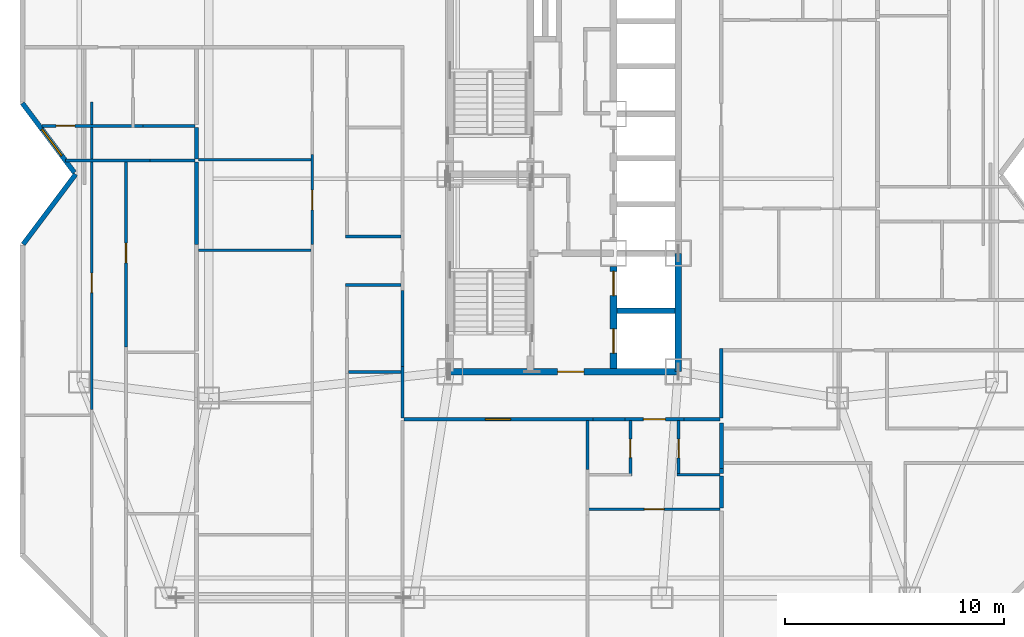
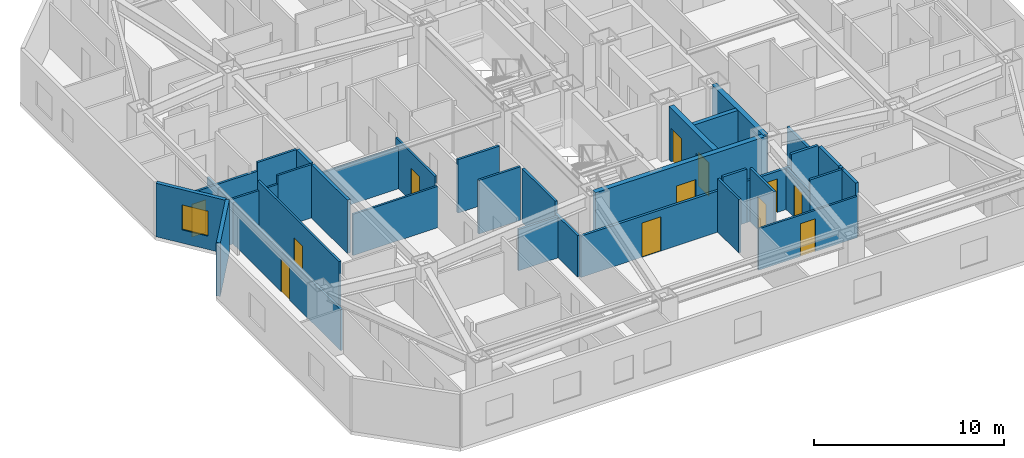
# One storey, part 6 of 12: 35 walls, 12 doors, 1 window, 13 openings.
"""IFC4 building model written with IfcOpenShell, lengths in metres."""

from ifc_helpers import new_model, si_unit, direction, frame, frame_2d, origin, place, context, subcontext, project, spatial, rectangle, extrude, material, layer, layer_set, type_object, element, fill, save


model = new_model("IFC4")

# Units and contexts
model_context = context("Model", 3, precision=1e-05, world=origin(), true_north=direction((0.0, 1.0)))
body_context = subcontext(model_context, "Body", "Model", "MODEL_VIEW")
ifc_project = project(units=[si_unit("LENGTHUNIT", "METRE"), si_unit("AREAUNIT", "SQUARE_METRE"), si_unit("VOLUMEUNIT", "CUBIC_METRE"), si_unit("PLANEANGLEUNIT", "RADIAN"), si_unit("MASSUNIT", "GRAM", prefix="KILO")], contexts=[model_context])

# Site, building, storey
site_placement = place(None, origin())
site = spatial("IfcSite", under=ifc_project, at=site_placement, CompositionType="ELEMENT")
building_placement = place(site_placement, origin())
building = spatial("IfcBuilding", under=site, at=building_placement, Name="Khamvora Tower", CompositionType="ELEMENT")
storey_placement = place(building_placement, frame((0.0, 0.0, 127.449951171875)))
storey = spatial("IfcBuildingStorey", under=building, at=storey_placement, Name="L32", CompositionType="ELEMENT", Elevation=127.449951171875)

# Wall, opening, door
ifc_material_1 = material(Name="Concrete C50/60", Category="concrete")
ifc_layer_1 = layer(ifc_material_1, 0.300048828125)
ifc_layer_set_1 = layer_set([ifc_layer_1], Name="Concrete C50/60")
wall_type_1 = type_object("IfcWallType", Name="WAL-CORE-300", PredefinedType="SHEAR", material=ifc_layer_set_1)
wall_1_placement = place(storey_placement, frame((29.0, 19.0, 0.0), z_axis=(0.0, 0.0, 1.0), x_axis=(1.0, 0.0, 0.0)))
wall_1 = element("IfcWall", 1, at=wall_1_placement, inside=storey, type_object=wall_type_1, Name="L32 central core south wall", PredefinedType="SHEAR", context=body_context, shape_type="SweptSolid", body=[
    extrude(rectangle(XDim=10.39990234375, YDim=0.300048828125, at=frame_2d((5.199951171875, 0.0))), origin(), (0.0, 0.0, 1.0), 3.429931640625),
])
opening_1_placement = place(wall_1_placement, frame((4.89990234375, 0.0, 0.0)))
opening_1 = element("IfcOpeningElement", 2, at=opening_1_placement, cuts=wall_1, Name="Opening D-CR1", PredefinedType="OPENING", context=body_context, shape_type="SweptSolid", body=[
    extrude(rectangle(XDim=1.199951171875, YDim=2.14990234375, at=frame_2d((0.60009765625, 1.074951171875))), frame((0.0, 0.159912109375, 0.0), z_axis=(0.0, -1.0, 0.0), x_axis=(1.0, 0.0, 0.0)), (0.0, 0.0, 1.0), 0.320068359375),
])
ifc_material_2 = material(Name="Powder-Coated Steel and Hardwood Leaf", Category="steel")
door_type_1 = type_object("IfcDoorType", Name="DOR-CORR-1200", OperationType="NOTDEFINED", PredefinedType="DOOR", material=ifc_material_2)
door_1_placement = place(opening_1_placement, origin())
door_1 = element("IfcDoor", 3, at=door_1_placement, inside=storey, type_object=door_type_1, Name="L32 south core lobby to corridor fire door", OperationType="SINGLE_SWING_RIGHT", OverallHeight=2.14990234375, OverallWidth=1.199951171875, PredefinedType="DOOR", context=body_context, shape_type="SweptSolid", body=[
    extrude(rectangle(XDim=1.199951171875, YDim=2.14990234375, at=frame_2d((0.60009765625, 1.074951171875))), frame((0.0, 0.02490234375, 0.0), z_axis=(0.0, -1.0, 0.0), x_axis=(1.0, 0.0, 0.0)), (0.0, 0.0, 1.0), 0.050048828125),
])
fill(opening_1, door_1)

# Wall
wall_2_placement = place(storey_placement, frame((39.39990234375, 19.0, 0.0), z_axis=(0.0, 0.0, 1.0), x_axis=(0.0, 1.0, 0.0)))
element("IfcWall", 4, at=wall_2_placement, inside=storey, type_object=wall_type_1, Name="L32 central core east south wall", PredefinedType="SHEAR", context=body_context, shape_type="SweptSolid", body=[
    extrude(rectangle(XDim=5.39990234375, YDim=0.300048828125, at=frame_2d((2.699951171875, 0.0))), origin(), (0.0, 0.0, 1.0), 3.429931640625),
])

# Wall, openings, doors
wall_3_placement = place(storey_placement, frame((36.449951171875, 19.154052734375, 0.0), z_axis=(0.0, 0.0, 1.0), x_axis=(0.0, 1.0, 0.0)))
wall_3 = element("IfcWall", 5, at=wall_3_placement, inside=storey, type_object=wall_type_1, Name="L32 central core lift bank south wall", PredefinedType="SHEAR", context=body_context, shape_type="SweptSolid", body=[
    extrude(rectangle(XDim=4.64599609375, YDim=0.300048828125, at=frame_2d((2.322998046875, 0.0))), origin(), (0.0, 0.0, 1.0), 3.429931640625),
])
opening_2_placement = place(wall_3_placement, frame((0.696044921875, 0.0, 0.0)))
opening_2 = element("IfcOpeningElement", 6, at=opening_2_placement, cuts=wall_3, Name="Opening LD-FFL", PredefinedType="OPENING", context=body_context, shape_type="SweptSolid", body=[
    extrude(rectangle(XDim=1.10009765625, YDim=2.14990234375, at=frame_2d((0.550048828125, 1.074951171875))), frame((0.0, 0.159912109375, 0.0), z_axis=(0.0, -1.0, 0.0), x_axis=(1.0, 0.0, 0.0)), (0.0, 0.0, 1.0), 0.320068359375),
])
opening_3_placement = place(wall_3_placement, frame((3.31591796875, 0.0, 0.0)))
opening_3 = element("IfcOpeningElement", 7, at=opening_3_placement, cuts=wall_3, Name="Opening LD-FFL", PredefinedType="OPENING", context=body_context, shape_type="SweptSolid", body=[
    extrude(rectangle(XDim=1.10009765625, YDim=2.14990234375, at=frame_2d((0.550048828125, 1.074951171875))), frame((0.0, 0.159912109375, 0.0), z_axis=(0.0, -1.0, 0.0), x_axis=(1.0, 0.0, 0.0)), (0.0, 0.0, 1.0), 0.320068359375),
])
door_type_2 = type_object("IfcDoorType", Name="DOR-LIFT-1100", OperationType="SLIDING_TO_LEFT", PredefinedType="DOOR", material=ifc_material_2)
door_2_placement = place(opening_2_placement, origin())
door_2 = element("IfcDoor", 8, at=door_2_placement, inside=storey, type_object=door_type_2, Name="L32 lift landing sliding door FFL-01", OperationType="SLIDING_TO_LEFT", OverallHeight=2.14990234375, OverallWidth=1.10009765625, PredefinedType="DOOR", context=body_context, shape_type="SweptSolid", body=[
    extrude(rectangle(XDim=1.10009765625, YDim=2.14990234375, at=frame_2d((0.550048828125, 1.074951171875))), frame((0.0, 0.02490234375, 0.0), z_axis=(0.0, -1.0, 0.0), x_axis=(1.0, 0.0, 0.0)), (0.0, 0.0, 1.0), 0.050048828125),
])
fill(opening_2, door_2)
door_3_placement = place(opening_3_placement, origin())
door_3 = element("IfcDoor", 9, at=door_3_placement, inside=storey, type_object=door_type_2, Name="L32 lift landing sliding door FFL-02", OperationType="SLIDING_TO_LEFT", OverallHeight=2.14990234375, OverallWidth=1.10009765625, PredefinedType="DOOR", context=body_context, shape_type="SweptSolid", body=[
    extrude(rectangle(XDim=1.10009765625, YDim=2.14990234375, at=frame_2d((0.550048828125, 1.074951171875))), frame((0.0, 0.02490234375, 0.0), z_axis=(0.0, -1.0, 0.0), x_axis=(1.0, 0.0, 0.0)), (0.0, 0.0, 1.0), 0.050048828125),
])
fill(opening_3, door_3)

# Wall, opening, door
ifc_material_3 = material(Name="Fire-Rated Drywall and Steel Stud", Category="steel")
ifc_layer_2 = layer(ifc_material_3, 0.14990234375)
ifc_layer_set_2 = layer_set([ifc_layer_2], Name="Fire-Rated Drywall and Steel Stud")
wall_type_2 = type_object("IfcWallType", Name="WAL-CORR-150", PredefinedType="STANDARD", material=ifc_layer_set_2)
wall_4_placement = place(storey_placement, frame((35.513916015625, 16.8349609375, 0.0), z_axis=(0.0, 0.0, 1.0), x_axis=(-1.0, 0.0, 0.0)))
wall_4 = element("IfcWall", 10, at=wall_4_placement, inside=storey, type_object=wall_type_2, Name="L32 interior partition wall 008", PredefinedType="STANDARD", context=body_context, shape_type="SweptSolid", body=[
    extrude(rectangle(XDim=8.614013671875, YDim=0.14990234375, at=frame_2d((4.30712890625, 0.0))), origin(), (0.0, 0.0, 1.0), 2.64697265625),
])
opening_4_placement = place(wall_4_placement, frame((3.7529296875, 0.0, 0.0)))
opening_4 = element("IfcOpeningElement", 11, at=opening_4_placement, cuts=wall_4, Name="Opening D-SC1", PredefinedType="OPENING", context=body_context, shape_type="SweptSolid", body=[
    extrude(rectangle(XDim=1.14990234375, YDim=2.199951171875, at=frame_2d((0.574951171875, 1.10009765625))), frame((0.0, 0.0849609375, 0.0), z_axis=(0.0, -1.0, 0.0), x_axis=(1.0, 0.0, 0.0)), (0.0, 0.0, 1.0), 0.169921875),
])
door_type_3 = type_object("IfcDoorType", Name="DOR-SCHL-1150", OperationType="NOTDEFINED", PredefinedType="DOOR", material=ifc_material_2)
door_4_placement = place(opening_4_placement, origin())
door_4 = element("IfcDoor", 12, at=door_4_placement, inside=storey, type_object=door_type_3, Name="L32 interior door COR-RCOW", OperationType="SINGLE_SWING_LEFT", OverallHeight=2.199951171875, OverallWidth=1.14990234375, PredefinedType="DOOR", context=body_context, shape_type="SweptSolid", body=[
    extrude(rectangle(XDim=1.14990234375, YDim=2.199951171875, at=frame_2d((0.574951171875, 1.10009765625))), frame((0.0, 0.02490234375, 0.0), z_axis=(0.0, -1.0, 0.0), x_axis=(1.0, 0.0, 0.0)), (0.0, 0.0, 1.0), 0.050048828125),
])
fill(opening_4, door_4)

# Walls
wall_5_placement = place(storey_placement, frame((26.8349609375, 16.89990234375, 0.0), z_axis=(0.0, 0.0, 1.0), x_axis=(0.0, 1.0, 0.0)))
element("IfcWall", 13, at=wall_5_placement, inside=storey, type_object=wall_type_2, Name="L32 interior partition wall 012", PredefinedType="STANDARD", context=body_context, shape_type="SweptSolid", body=[
    extrude(rectangle(XDim=2.343017578125, YDim=0.14990234375, at=frame_2d((1.17138671875, 0.0))), origin(), (0.0, 0.0, 1.0), 2.64697265625),
])
wall_6_placement = place(storey_placement, frame((26.8349609375, 19.242919921875, 0.0), z_axis=(0.0, 0.0, 1.0), x_axis=(0.0, 1.0, 0.0)))
element("IfcWall", 14, at=wall_6_placement, inside=storey, type_object=wall_type_2, Name="L32 interior partition wall 017", PredefinedType="STANDARD", context=body_context, shape_type="SweptSolid", body=[
    extrude(rectangle(XDim=3.467041015625, YDim=0.14990234375, at=frame_2d((1.7333984375, 0.0))), origin(), (0.0, 0.0, 1.0), 3.429931640625),
])

# Wall, opening, door
wall_7_placement = place(storey_placement, frame((39.6640625, 16.8349609375, 0.0), z_axis=(0.0, 0.0, 1.0), x_axis=(-1.0, 0.0, 0.0)))
wall_7 = element("IfcWall", 15, at=wall_7_placement, inside=storey, type_object=wall_type_2, Name="L32 interior partition wall 027", PredefinedType="STANDARD", context=body_context, shape_type="SweptSolid", body=[
    extrude(rectangle(XDim=2.697998046875, YDim=0.14990234375, at=frame_2d((1.34912109375, 0.0))), origin(), (0.0, 0.0, 1.0), 2.64697265625),
])
opening_5_placement = place(wall_7_placement, frame((0.84912109375, 0.0, 0.0)))
opening_5 = element("IfcOpeningElement", 16, at=opening_5_placement, cuts=wall_7, Name="Opening D-U1", PredefinedType="OPENING", context=body_context, shape_type="SweptSolid", body=[
    extrude(rectangle(XDim=1.0, YDim=2.14990234375, at=frame_2d((0.5, 1.074951171875))), frame((0.0, 0.0849609375, 0.0), z_axis=(0.0, -1.0, 0.0), x_axis=(1.0, 0.0, 0.0)), (0.0, 0.0, 1.0), 0.169921875),
])
door_type_4 = type_object("IfcDoorType", Name="DOR-UNIT-1000", OperationType="NOTDEFINED", PredefinedType="DOOR", material=ifc_material_2)
door_5_placement = place(opening_5_placement, origin())
door_5 = element("IfcDoor", 17, at=door_5_placement, inside=storey, type_object=door_type_4, Name="L32 interior door COR-32SAH", OperationType="SINGLE_SWING_RIGHT", OverallHeight=2.14990234375, OverallWidth=1.0, PredefinedType="DOOR", context=body_context, shape_type="SweptSolid", body=[
    extrude(rectangle(XDim=1.0, YDim=2.14990234375, at=frame_2d((0.5, 1.074951171875))), frame((0.0, 0.02490234375, 0.0), z_axis=(0.0, -1.0, 0.0), x_axis=(1.0, 0.0, 0.0)), (0.0, 0.0, 1.0), 0.050048828125),
])
fill(opening_5, door_5)

# Walls
wall_8_placement = place(storey_placement, frame((36.966064453125, 16.8349609375, 0.0), z_axis=(0.0, 0.0, 1.0), x_axis=(-1.0, 0.0, 0.0)))
element("IfcWall", 18, at=wall_8_placement, inside=storey, type_object=wall_type_2, Name="L32 interior partition wall 028", PredefinedType="STANDARD", context=body_context, shape_type="SweptSolid", body=[
    extrude(rectangle(XDim=1.4521484375, YDim=0.14990234375, at=frame_2d((0.72607421875, 0.0))), origin(), (0.0, 0.0, 1.0), 3.429931640625),
])
wall_9_placement = place(storey_placement, frame((41.300048828125, 16.8349609375, 0.0), z_axis=(0.0, 0.0, 1.0), x_axis=(-1.0, 0.0, 0.0)))
element("IfcWall", 19, at=wall_9_placement, inside=storey, type_object=wall_type_2, Name="L32 interior partition wall 029", PredefinedType="STANDARD", context=body_context, shape_type="SweptSolid", body=[
    extrude(rectangle(XDim=1.635986328125, YDim=0.14990234375, at=frame_2d((0.81787109375, 0.0))), origin(), (0.0, 0.0, 1.0), 3.429931640625),
])
wall_10_placement = place(storey_placement, frame((41.364990234375, 20.050048828125, 0.0), z_axis=(0.0, 0.0, 1.0), x_axis=(0.0, -1.0, 0.0)))
element("IfcWall", 20, at=wall_10_placement, inside=storey, type_object=wall_type_2, Name="L32 interior partition wall 035", PredefinedType="STANDARD", context=body_context, shape_type="SweptSolid", body=[
    extrude(rectangle(XDim=3.150146484375, YDim=0.14990234375, at=frame_2d((1.5751953125, 0.0))), origin(), (0.0, 0.0, 1.0), 2.64697265625),
])
ifc_material_4 = material(Name="Acoustic Double-Stud Fire Wall", Category="gypsum")
ifc_layer_3 = layer(ifc_material_4, 0.179931640625)
ifc_layer_set_3 = layer_set([ifc_layer_3], Name="Acoustic Double-Stud Fire Wall")
wall_type_3 = type_object("IfcWallType", Name="WAL-CORR-180", PredefinedType="STANDARD", material=ifc_layer_set_3)
wall_11_placement = place(storey_placement, frame((17.449951171875, 30.139892578125, 0.0), z_axis=(0.0, 0.0, 1.0), x_axis=(0.0, -1.0, 0.0)))
element("IfcWall", 21, at=wall_11_placement, inside=storey, type_object=wall_type_3, Name="L32 interior partition wall 060", PredefinedType="STANDARD", context=body_context, shape_type="SweptSolid", body=[
    extrude(rectangle(XDim=1.449951171875, YDim=0.179931640625, at=frame_2d((0.72509765625, 0.0))), origin(), (0.0, 0.0, 1.0), 3.429931640625),
])
wall_12_placement = place(storey_placement, frame((17.449951171875, 28.56005859375, 0.0), z_axis=(0.0, 0.0, 1.0), x_axis=(0.0, -1.0, 0.0)))
element("IfcWall", 22, at=wall_12_placement, inside=storey, type_object=wall_type_3, Name="L32 interior partition wall 070", PredefinedType="STANDARD", context=body_context, shape_type="SweptSolid", body=[
    extrude(rectangle(XDim=3.77099609375, YDim=0.179931640625, at=frame_2d((1.885498046875, 0.0))), origin(), (0.0, 0.0, 1.0), 3.429931640625),
])
wall_13_placement = place(storey_placement, frame((41.364990234375, 14.239990234375, 0.0), z_axis=(0.0, 0.0, 1.0), x_axis=(0.0, -1.0, 0.0)))
element("IfcWall", 23, at=wall_13_placement, inside=storey, type_object=wall_type_3, Name="L32 interior partition wall 117", PredefinedType="STANDARD", context=body_context, shape_type="SweptSolid", body=[
    extrude(rectangle(XDim=1.449951171875, YDim=0.179931640625, at=frame_2d((0.72509765625, 0.0))), origin(), (0.0, 0.0, 1.0), 3.429931640625),
])
wall_14_placement = place(storey_placement, frame((41.364990234375, 16.669921875, 0.0), z_axis=(0.0, 0.0, 1.0), x_axis=(0.0, -1.0, 0.0)))
element("IfcWall", 24, at=wall_14_placement, inside=storey, type_object=wall_type_3, Name="L32 interior partition wall 118", PredefinedType="STANDARD", context=body_context, shape_type="SweptSolid", body=[
    extrude(rectangle(XDim=2.077880859375, YDim=0.179931640625, at=frame_2d((1.0390625, 0.0))), origin(), (0.0, 0.0, 1.0), 3.429931640625),
])
wall_15_placement = place(storey_placement, frame((41.364990234375, 14.592041015625, 0.0), z_axis=(0.0, 0.0, 1.0), x_axis=(0.0, -1.0, 0.0)))
element("IfcWall", 25, at=wall_15_placement, inside=storey, type_object=wall_type_3, Name="L32 interior partition wall 119", PredefinedType="STANDARD", context=body_context, shape_type="SweptSolid", body=[
    extrude(rectangle(XDim=0.221923828125, YDim=0.179931640625, at=frame_2d((0.11083984375, 0.0))), origin(), (0.0, 0.0, 1.0), 3.429931640625),
])
ifc_material_5 = material(Name="Precast concrete C40/50", Category="concrete")
ifc_layer_4 = layer(ifc_material_5, 0.219970703125)
ifc_layer_set_4 = layer_set([ifc_layer_4], Name="Precast concrete C40/50")
wall_type_4 = type_object("IfcWallType", Name="WAL-EXT-220", PredefinedType="STANDARD", material=ifc_layer_set_4)
wall_16_placement = place(storey_placement, frame((9.5439453125, 24.80810546875, 0.0), z_axis=(0.0, 0.0, 1.0), x_axis=(0.600019580308, 0.799985314394, 0.0)))
element("IfcWall", 26, at=wall_16_placement, inside=storey, type_object=wall_type_4, Name="L32 exterior facade wall 03.1", PredefinedType="STANDARD", context=body_context, shape_type="SweptSolid", body=[
    extrude(rectangle(XDim=3.989990234375, YDim=0.219970703125, at=frame_2d((1.9951171875, 0.0))), origin(), (0.0, 0.0, 1.0), 3.429931640625),
])

# Wall, opening, window
wall_17_placement = place(storey_placement, frame((11.881103515625, 28.076904296875, 0.0), z_axis=(0.0, 0.0, 1.0), x_axis=(-0.600158184825, 0.799881336942, 0.0)))
wall_17 = element("IfcWall", 27, at=wall_17_placement, inside=storey, type_object=wall_type_4, Name="L32 exterior facade wall 04.1", PredefinedType="STANDARD", context=body_context, shape_type="SweptSolid", body=[
    extrude(rectangle(XDim=3.95068359375, YDim=0.219970703125, at=frame_2d((1.975341796875, 0.0))), origin(), (0.0, 0.0, 1.0), 3.429931640625),
])
opening_6_placement = place(wall_17_placement, frame((0.964111328125, 0.0, 0.85009765625)))
opening_6 = element("IfcOpeningElement", 28, at=opening_6_placement, cuts=wall_17, Name="Opening WN-02", PredefinedType="OPENING", context=body_context, shape_type="SweptSolid", body=[
    extrude(rectangle(XDim=1.5, YDim=1.60009765625, at=frame_2d((0.75, 0.800048828125))), frame((0.0, 0.119873046875, 0.0), z_axis=(0.0, -1.0, 0.0), x_axis=(1.0, 0.0, 0.0)), (0.0, 0.0, 1.0), 0.239990234375),
])
ifc_material_6 = material(Name="Low-E Laminated Double Glazing", Category="glass")
window_type = type_object("IfcWindowType", Name="WIN-VIS-1500x1600", PartitioningType="SINGLE_PANEL", PredefinedType="WINDOW", material=ifc_material_6)
window_placement = place(opening_6_placement, origin())
window = element("IfcWindow", 29, at=window_placement, inside=storey, type_object=window_type, Name="L32 vision window 04.1.01", OverallHeight=1.60009765625, OverallWidth=1.5, PartitioningType="SINGLE_PANEL", PredefinedType="WINDOW", context=body_context, shape_type="SweptSolid", body=[
    extrude(rectangle(XDim=1.5, YDim=1.60009765625, at=frame_2d((0.75, 0.800048828125))), frame((0.0, 0.030029296875, 0.0), z_axis=(0.0, -1.0, 0.0), x_axis=(1.0, 0.0, 0.0)), (0.0, 0.0, 1.0), 0.06005859375),
])
fill(opening_6, window)

# Wall, opening, door
ifc_material_7 = material(Name="Gypsum Plasterboard Partition", Category="gypsum")
ifc_layer_5 = layer(ifc_material_7, 0.1201171875)
ifc_layer_set_5 = layer_set([ifc_layer_5], Name="Gypsum Plasterboard Partition")
wall_type_5 = type_object("IfcWallType", Name="WAL-PART-120", PredefinedType="PARTITIONING", material=ifc_layer_set_5)
wall_18_placement = place(storey_placement, frame((12.662109375, 17.26806640625, 0.0), z_axis=(0.0, 0.0, 1.0), x_axis=(0.0, 1.0, 0.0)))
wall_18 = element("IfcWall", 30, at=wall_18_placement, inside=storey, type_object=wall_type_5, Name="L32 interior partition wall 054", PredefinedType="PARTITIONING", context=body_context, shape_type="SweptSolid", body=[
    extrude(rectangle(XDim=14.02197265625, YDim=0.1201171875, at=frame_2d((7.010986328125, 0.0))), origin(), (0.0, 0.0, 1.0), 2.64697265625),
])
opening_7_placement = place(wall_18_placement, frame((5.33203125, 0.0, 0.0)))
opening_7 = element("IfcOpeningElement", 31, at=opening_7_placement, cuts=wall_18, Name="Opening D-RM1", PredefinedType="OPENING", context=body_context, shape_type="SweptSolid", body=[
    extrude(rectangle(XDim=0.89990234375, YDim=2.10009765625, at=frame_2d((0.449951171875, 1.050048828125))), frame((0.0, 0.070068359375, 0.0), z_axis=(0.0, -1.0, 0.0), x_axis=(1.0, 0.0, 0.0)), (0.0, 0.0, 1.0), 0.14013671875),
])
door_type_5 = type_object("IfcDoorType", Name="DOR-ROOM-900", OperationType="NOTDEFINED", PredefinedType="DOOR", material=ifc_material_2)
door_6_placement = place(opening_7_placement, origin())
door_6 = element("IfcDoor", 32, at=door_6_placement, inside=storey, type_object=door_type_5, Name="L32 interior door 32WA1H-32WA1R2", OperationType="SINGLE_SWING_LEFT", OverallHeight=2.10009765625, OverallWidth=0.89990234375, PredefinedType="DOOR", context=body_context, shape_type="SweptSolid", body=[
    extrude(rectangle(XDim=0.89990234375, YDim=2.10009765625, at=frame_2d((0.449951171875, 1.050048828125))), frame((0.0, 0.02490234375, 0.0), z_axis=(0.0, -1.0, 0.0), x_axis=(1.0, 0.0, 0.0)), (0.0, 0.0, 1.0), 0.050048828125),
])
fill(opening_7, door_6)

# Walls
wall_19_placement = place(storey_placement, frame((15.326904296875, 28.625, 0.0), z_axis=(0.0, 0.0, 1.0), x_axis=(-1.0, 0.0, 0.0)))
element("IfcWall", 33, at=wall_19_placement, inside=storey, type_object=wall_type_5, Name="L32 interior partition wall 055", PredefinedType="PARTITIONING", context=body_context, shape_type="SweptSolid", body=[
    extrude(rectangle(XDim=3.844970703125, YDim=0.1201171875, at=frame_2d((1.92236328125, 0.0))), origin(), (0.0, 0.0, 1.0), 2.8759765625),
])
wall_20_placement = place(storey_placement, frame((17.385009765625, 28.625, 0.0), z_axis=(0.0, 0.0, 1.0), x_axis=(-1.0, 0.0, 0.0)))
element("IfcWall", 34, at=wall_20_placement, inside=storey, type_object=wall_type_5, Name="L32 interior partition wall 058", PredefinedType="PARTITIONING", context=body_context, shape_type="SweptSolid", body=[
    extrude(rectangle(XDim=2.05810546875, YDim=0.1201171875, at=frame_2d((1.029052734375, 0.0))), origin(), (0.0, 0.0, 1.0), 3.429931640625),
])

# Wall, opening, door
wall_21_placement = place(storey_placement, frame((14.23193359375, 28.68994140625, 0.0), z_axis=(0.0, 0.0, 1.0), x_axis=(0.0, -1.0, 0.0)))
wall_21 = element("IfcWall", 35, at=wall_21_placement, inside=storey, type_object=wall_type_5, Name="L32 interior partition wall 059", PredefinedType="PARTITIONING", context=body_context, shape_type="SweptSolid", body=[
    extrude(rectangle(XDim=8.555908203125, YDim=0.1201171875, at=frame_2d((4.27783203125, 0.0))), origin(), (0.0, 0.0, 1.0), 3.429931640625),
])
opening_8_placement = place(wall_21_placement, frame((3.827880859375, 0.0, 0.0)))
opening_8 = element("IfcOpeningElement", 36, at=opening_8_placement, cuts=wall_21, Name="Opening D-RM1", PredefinedType="OPENING", context=body_context, shape_type="SweptSolid", body=[
    extrude(rectangle(XDim=0.89990234375, YDim=2.10009765625, at=frame_2d((0.449951171875, 1.050048828125))), frame((0.0, 0.070068359375, 0.0), z_axis=(0.0, -1.0, 0.0), x_axis=(1.0, 0.0, 0.0)), (0.0, 0.0, 1.0), 0.14013671875),
])
door_7_placement = place(opening_8_placement, origin())
door_7 = element("IfcDoor", 37, at=door_7_placement, inside=storey, type_object=door_type_5, Name="L32 interior door 32WA1H-32WA1R5", OperationType="SINGLE_SWING_RIGHT", OverallHeight=2.10009765625, OverallWidth=0.89990234375, PredefinedType="DOOR", context=body_context, shape_type="SweptSolid", body=[
    extrude(rectangle(XDim=0.89990234375, YDim=2.10009765625, at=frame_2d((0.449951171875, 1.050048828125))), frame((0.0, 0.02490234375, 0.0), z_axis=(0.0, -1.0, 0.0), x_axis=(1.0, 0.0, 0.0)), (0.0, 0.0, 1.0), 0.050048828125),
])
fill(opening_8, door_7)

wall_22_placement = place(storey_placement, frame((22.72509765625, 24.7890625, 0.0), z_axis=(0.0, 0.0, 1.0), x_axis=(0.0, 1.0, 0.0)))
wall_22 = element("IfcWall", 38, at=wall_22_placement, inside=storey, type_object=wall_type_5, Name="L32 interior partition wall 082", PredefinedType="PARTITIONING", context=body_context, shape_type="SweptSolid", body=[
    extrude(rectangle(XDim=4.116943359375, YDim=0.1201171875, at=frame_2d((2.05859375, 0.0))), origin(), (0.0, 0.0, 1.0), 3.10693359375),
])
opening_9_placement = place(wall_22_placement, frame((1.587890625, 0.0, 0.0)))
opening_9 = element("IfcOpeningElement", 39, at=opening_9_placement, cuts=wall_22, Name="Opening D-RM1", PredefinedType="OPENING", context=body_context, shape_type="SweptSolid", body=[
    extrude(rectangle(XDim=0.89990234375, YDim=2.10009765625, at=frame_2d((0.449951171875, 1.050048828125))), frame((0.0, 0.070068359375, 0.0), z_axis=(0.0, -1.0, 0.0), x_axis=(1.0, 0.0, 0.0)), (0.0, 0.0, 1.0), 0.14013671875),
])
door_8_placement = place(opening_9_placement, origin())
door_8 = element("IfcDoor", 40, at=door_8_placement, inside=storey, type_object=door_type_5, Name="L32 interior door 32WA2H-32WA2R4", OperationType="SINGLE_SWING_RIGHT", OverallHeight=2.10009765625, OverallWidth=0.89990234375, PredefinedType="DOOR", context=body_context, shape_type="SweptSolid", body=[
    extrude(rectangle(XDim=0.89990234375, YDim=2.10009765625, at=frame_2d((0.449951171875, 1.050048828125))), frame((0.0, 0.02490234375, 0.0), z_axis=(0.0, -1.0, 0.0), x_axis=(1.0, 0.0, 0.0)), (0.0, 0.0, 1.0), 0.050048828125),
])
fill(opening_9, door_8)

# Walls
wall_23_placement = place(storey_placement, frame((17.531982421875, 24.5400390625, 0.0), z_axis=(0.0, 0.0, 1.0), x_axis=(1.0, 0.0, 0.0)))
element("IfcWall", 41, at=wall_23_placement, inside=storey, type_object=wall_type_5, Name="L32 interior partition wall 086", PredefinedType="PARTITIONING", context=body_context, shape_type="SweptSolid", body=[
    extrude(rectangle(XDim=5.138916015625, YDim=0.1201171875, at=frame_2d((2.5693359375, 0.0))), origin(), (0.0, 0.0, 1.0), 2.64697265625),
])
wall_24_placement = place(storey_placement, frame((17.52392578125, 28.656982421875, 0.0), z_axis=(0.0, 0.0, 1.0), x_axis=(1.0, 0.0, 0.0)))
element("IfcWall", 42, at=wall_24_placement, inside=storey, type_object=wall_type_5, Name="L32 interior partition wall 087", PredefinedType="PARTITIONING", context=body_context, shape_type="SweptSolid", body=[
    extrude(rectangle(XDim=5.14697265625, YDim=0.1201171875, at=frame_2d((2.573486328125, 0.0))), origin(), (0.0, 0.0, 1.0), 2.64697265625),
])

# Wall, opening, door
wall_25_placement = place(storey_placement, frame((41.300048828125, 12.72509765625, 0.0), z_axis=(0.0, 0.0, 1.0), x_axis=(-1.0, 0.0, 0.0)))
wall_25 = element("IfcWall", 43, at=wall_25_placement, inside=storey, type_object=wall_type_5, Name="L32 interior partition wall 116", PredefinedType="PARTITIONING", context=body_context, shape_type="SweptSolid", body=[
    extrude(rectangle(XDim=5.98095703125, YDim=0.1201171875, at=frame_2d((2.990478515625, 0.0))), origin(), (0.0, 0.0, 1.0), 2.64697265625),
])
opening_10_placement = place(wall_25_placement, frame((2.5400390625, 0.0, 0.0)))
opening_10 = element("IfcOpeningElement", 44, at=opening_10_placement, cuts=wall_25, Name="Opening D-RM1", PredefinedType="OPENING", context=body_context, shape_type="SweptSolid", body=[
    extrude(rectangle(XDim=0.89990234375, YDim=2.10009765625, at=frame_2d((0.449951171875, 1.050048828125))), frame((0.0, 0.070068359375, 0.0), z_axis=(0.0, -1.0, 0.0), x_axis=(1.0, 0.0, 0.0)), (0.0, 0.0, 1.0), 0.14013671875),
])
door_9_placement = place(opening_10_placement, origin())
door_9 = element("IfcDoor", 45, at=door_9_placement, inside=storey, type_object=door_type_5, Name="L32 interior door 32SAH-32SAR1", OperationType="SINGLE_SWING_RIGHT", OverallHeight=2.10009765625, OverallWidth=0.89990234375, PredefinedType="DOOR", context=body_context, shape_type="SweptSolid", body=[
    extrude(rectangle(XDim=0.89990234375, YDim=2.10009765625, at=frame_2d((0.449951171875, 1.050048828125))), frame((0.0, 0.02490234375, 0.0), z_axis=(0.0, -1.0, 0.0), x_axis=(1.0, 0.0, 0.0)), (0.0, 0.0, 1.0), 0.050048828125),
])
fill(opening_10, door_9)

# Walls
ifc_material_8 = material(Name="Concrete C40/50", Category="concrete")
ifc_layer_6 = layer(ifc_material_8, 0.25)
ifc_layer_set_6 = layer_set([ifc_layer_6], Name="Concrete C40/50")
wall_type_6 = type_object("IfcWallType", Name="WAL-PODS-250", PredefinedType="SHEAR", material=ifc_layer_set_6)
wall_26_placement = place(storey_placement, frame((36.60400390625, 21.77490234375, 0.0), z_axis=(0.0, 0.0, 1.0), x_axis=(1.0, 0.0, 0.0)))
element("IfcWall", 46, at=wall_26_placement, inside=storey, type_object=wall_type_6, Name="L32 lift shaft divider wall FFL-01", PredefinedType="SHEAR", context=body_context, shape_type="SweptSolid", body=[
    extrude(rectangle(XDim=2.64208984375, YDim=0.25, at=frame_2d((1.321044921875, 0.0))), origin(), (0.0, 0.0, 1.0), 3.429931640625),
])
ifc_material_9 = material(Name="Moisture-Resistant Plasterboard Partition", Category="gypsum")
ifc_layer_7 = layer(ifc_material_9, 0.135009765625)
ifc_layer_set_7 = layer_set([ifc_layer_7], Name="Moisture-Resistant Plasterboard Partition")
wall_type_7 = type_object("IfcWallType", Name="WAL-WET-135", PredefinedType="PARTITIONING", material=ifc_layer_set_7)
wall_27_placement = place(storey_placement, frame((35.264892578125, 16.77001953125, 0.0), z_axis=(0.0, 0.0, 1.0), x_axis=(0.0, -1.0, 0.0)))
element("IfcWall", 47, at=wall_27_placement, inside=storey, type_object=wall_type_7, Name="L32 interior partition wall 047", PredefinedType="PARTITIONING", context=body_context, shape_type="SweptSolid", body=[
    extrude(rectangle(XDim=2.216064453125, YDim=0.135009765625, at=frame_2d((1.10791015625, 0.0))), origin(), (0.0, 0.0, 1.0), 3.429931640625),
])

# Wall, opening, door
wall_28_placement = place(storey_placement, frame((10.39599609375, 30.205078125, 0.0), z_axis=(0.0, 0.0, 1.0), x_axis=(1.0, 0.0, 0.0)))
wall_28 = element("IfcWall", 48, at=wall_28_placement, inside=storey, type_object=wall_type_7, Name="L32 interior partition wall 049", PredefinedType="PARTITIONING", context=body_context, shape_type="SweptSolid", body=[
    extrude(rectangle(XDim=4.615966796875, YDim=0.135009765625, at=frame_2d((2.30810546875, 0.0))), origin(), (0.0, 0.0, 1.0), 2.8759765625),
])
opening_11_placement = place(wall_28_placement, frame((0.654052734375, 0.0, 0.0)))
opening_11 = element("IfcOpeningElement", 49, at=opening_11_placement, cuts=wall_28, Name="Opening D-WC1", PredefinedType="OPENING", context=body_context, shape_type="SweptSolid", body=[
    extrude(rectangle(XDim=0.85009765625, YDim=2.10009765625, at=frame_2d((0.425048828125, 1.050048828125))), frame((0.0, 0.077392578125, 0.0), z_axis=(0.0, -1.0, 0.0), x_axis=(1.0, 0.0, 0.0)), (0.0, 0.0, 1.0), 0.155029296875),
])
door_type_6 = type_object("IfcDoorType", Name="DOR-WET-850", OperationType="NOTDEFINED", PredefinedType="DOOR", material=ifc_material_2)
door_10_placement = place(opening_11_placement, origin())
door_10 = element("IfcDoor", 50, at=door_10_placement, inside=storey, type_object=door_type_6, Name="L32 interior door 32WA1H-32WA1B", OperationType="SINGLE_SWING_LEFT", OverallHeight=2.10009765625, OverallWidth=0.85009765625, PredefinedType="DOOR", context=body_context, shape_type="SweptSolid", body=[
    extrude(rectangle(XDim=0.85009765625, YDim=2.10009765625, at=frame_2d((0.425048828125, 1.050048828125))), frame((0.0, 0.02490234375, 0.0), z_axis=(0.0, -1.0, 0.0), x_axis=(1.0, 0.0, 0.0)), (0.0, 0.0, 1.0), 0.050048828125),
])
fill(opening_11, door_10)

# Walls
wall_29_placement = place(storey_placement, frame((15.011962890625, 30.205078125, 0.0), z_axis=(0.0, 0.0, 1.0), x_axis=(1.0, 0.0, 0.0)))
element("IfcWall", 51, at=wall_29_placement, inside=storey, type_object=wall_type_7, Name="L32 interior partition wall 052", PredefinedType="PARTITIONING", context=body_context, shape_type="SweptSolid", body=[
    extrude(rectangle(XDim=2.373046875, YDim=0.135009765625, at=frame_2d((1.1865234375, 0.0))), origin(), (0.0, 0.0, 1.0), 3.429931640625),
])
wall_30_placement = place(storey_placement, frame((24.3701171875, 18.993896484375, 0.0), z_axis=(0.0, 0.0, 1.0), x_axis=(1.0, 0.0, 0.0)))
element("IfcWall", 52, at=wall_30_placement, inside=storey, type_object=wall_type_7, Name="L32 interior partition wall 072", PredefinedType="PARTITIONING", context=body_context, shape_type="SweptSolid", body=[
    extrude(rectangle(XDim=2.39990234375, YDim=0.135009765625, at=frame_2d((1.199951171875, 0.0))), origin(), (0.0, 0.0, 1.0), 2.64697265625),
])
for number, where, z_axis, x_axis, name in (
    (53, (26.77001953125, 22.958984375, 0.0), (0.0, 0.0, 1.0), (-1.0, 0.0, 0.0), "L32 interior partition wall 075"),
    (54, (24.239990234375, 25.158935546875, 0.0), (0.0, 0.0, 1.0), (1.0, 0.0, 0.0), "L32 interior partition wall 078"),
):
    element("IfcWall", number, at=place(storey_placement, frame(where, z_axis=z_axis, x_axis=x_axis)), inside=storey, type_object=wall_type_7, Name=name, PredefinedType="PARTITIONING", context=body_context, shape_type="SweptSolid", body=[
        extrude(rectangle(XDim=2.530029296875, YDim=0.135009765625, at=frame_2d((1.26513671875, 0.0))), origin(), (0.0, 0.0, 1.0), 3.429931640625),
    ])

# Wall, opening, door
wall_31_placement = place(storey_placement, frame((37.215087890625, 14.239990234375, 0.0), z_axis=(0.0, 0.0, 1.0), x_axis=(0.0, 1.0, 0.0)))
wall_31 = element("IfcWall", 55, at=wall_31_placement, inside=storey, type_object=wall_type_7, Name="L32 interior partition wall 113", PredefinedType="PARTITIONING", context=body_context, shape_type="SweptSolid", body=[
    extrude(rectangle(XDim=2.530029296875, YDim=0.135009765625, at=frame_2d((1.26513671875, 0.0))), origin(), (0.0, 0.0, 1.0), 3.429931640625),
])
opening_12_placement = place(wall_31_placement, frame((0.840087890625, 0.0, 0.0)))
opening_12 = element("IfcOpeningElement", 56, at=opening_12_placement, cuts=wall_31, Name="Opening D-WC1", PredefinedType="OPENING", context=body_context, shape_type="SweptSolid", body=[
    extrude(rectangle(XDim=0.85009765625, YDim=2.10009765625, at=frame_2d((0.425048828125, 1.050048828125))), frame((0.0, 0.077392578125, 0.0), z_axis=(0.0, -1.0, 0.0), x_axis=(1.0, 0.0, 0.0)), (0.0, 0.0, 1.0), 0.155029296875),
])
door_11_placement = place(opening_12_placement, origin())
door_11 = element("IfcDoor", 57, at=door_11_placement, inside=storey, type_object=door_type_6, Name="L32 interior door 32SAH-32SAB", OperationType="SINGLE_SWING_RIGHT", OverallHeight=2.10009765625, OverallWidth=0.85009765625, PredefinedType="DOOR", context=body_context, shape_type="SweptSolid", body=[
    extrude(rectangle(XDim=0.85009765625, YDim=2.10009765625, at=frame_2d((0.425048828125, 1.050048828125))), frame((0.0, 0.02490234375, 0.0), z_axis=(0.0, -1.0, 0.0), x_axis=(1.0, 0.0, 0.0)), (0.0, 0.0, 1.0), 0.050048828125),
])
fill(opening_12, door_11)

wall_32_placement = place(storey_placement, frame((39.4150390625, 16.77001953125, 0.0), z_axis=(0.0, 0.0, 1.0), x_axis=(0.0, -1.0, 0.0)))
wall_32 = element("IfcWall", 58, at=wall_32_placement, inside=storey, type_object=wall_type_7, Name="L32 interior partition wall 114", PredefinedType="PARTITIONING", context=body_context, shape_type="SweptSolid", body=[
    extrude(rectangle(XDim=2.530029296875, YDim=0.135009765625, at=frame_2d((1.26513671875, 0.0))), origin(), (0.0, 0.0, 1.0), 2.64697265625),
])
opening_13_placement = place(wall_32_placement, frame((0.840087890625, 0.0, 0.0)))
opening_13 = element("IfcOpeningElement", 59, at=opening_13_placement, cuts=wall_32, Name="Opening D-RM2", PredefinedType="OPENING", context=body_context, shape_type="SweptSolid", body=[
    extrude(rectangle(XDim=0.85009765625, YDim=2.10009765625, at=frame_2d((0.425048828125, 1.050048828125))), frame((0.0, 0.077392578125, 0.0), z_axis=(0.0, -1.0, 0.0), x_axis=(1.0, 0.0, 0.0)), (0.0, 0.0, 1.0), 0.155029296875),
])
door_type_7 = type_object("IfcDoorType", Name="DOR-ROOM-850", OperationType="NOTDEFINED", PredefinedType="DOOR", material=ifc_material_2)
door_12_placement = place(opening_13_placement, origin())
door_12 = element("IfcDoor", 60, at=door_12_placement, inside=storey, type_object=door_type_7, Name="L32 interior door 32SAH-32SAK", OperationType="SINGLE_SWING_LEFT", OverallHeight=2.10009765625, OverallWidth=0.85009765625, PredefinedType="DOOR", context=body_context, shape_type="SweptSolid", body=[
    extrude(rectangle(XDim=0.85009765625, YDim=2.10009765625, at=frame_2d((0.425048828125, 1.050048828125))), frame((0.0, 0.02490234375, 0.0), z_axis=(0.0, -1.0, 0.0), x_axis=(1.0, 0.0, 0.0)), (0.0, 0.0, 1.0), 0.050048828125),
])
fill(opening_13, door_12)

# Wall
wall_33_placement = place(storey_placement, frame((39.35009765625, 14.304931640625, 0.0), z_axis=(0.0, 0.0, 1.0), x_axis=(1.0, 0.0, 0.0)))
element("IfcWall", 61, at=wall_33_placement, inside=storey, type_object=wall_type_7, Name="L32 interior partition wall 115", PredefinedType="PARTITIONING", context=body_context, shape_type="SweptSolid", body=[
    extrude(rectangle(XDim=1.949951171875, YDim=0.135009765625, at=frame_2d((0.97509765625, 0.0))), origin(), (0.0, 0.0, 1.0), 3.429931640625),
])

save(model, "model.ifc")
